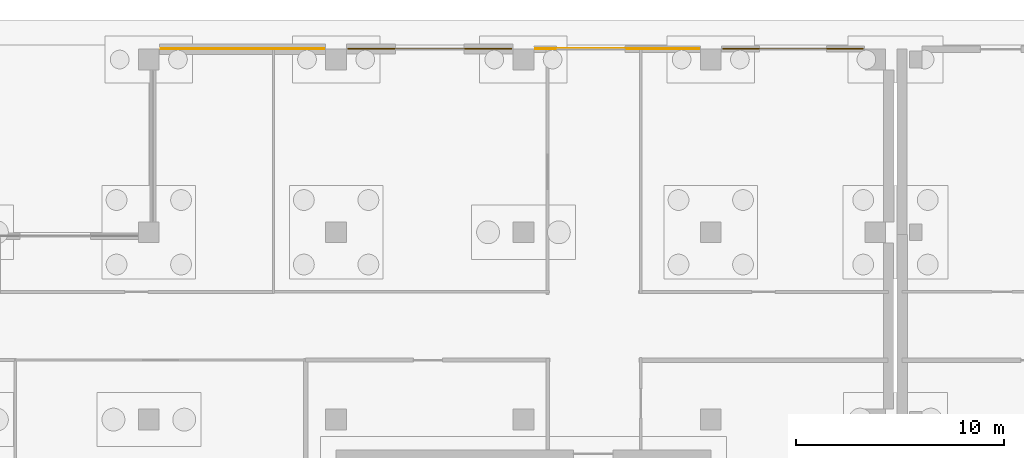
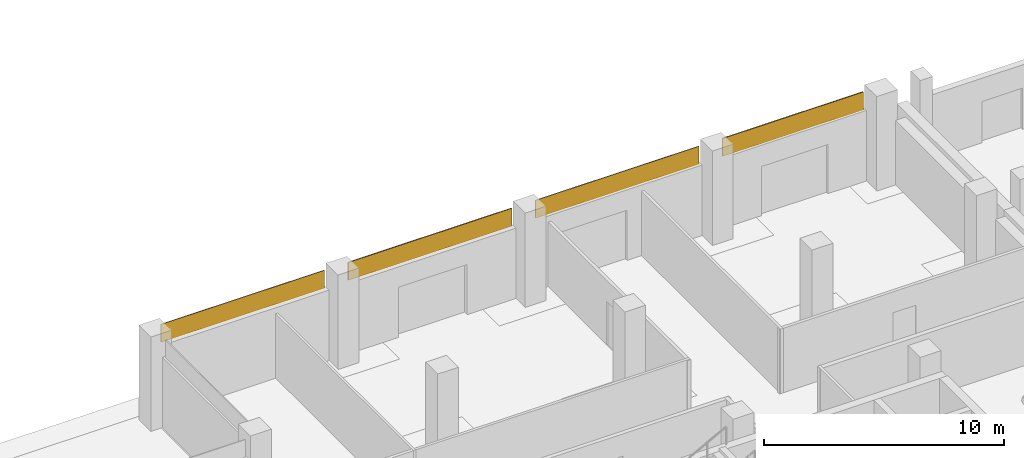
# One storey, part 52 of 53: 4 coverings.
"""IFC4 building model written with IfcOpenShell, lengths in metres."""

from ifc_helpers import new_model, si_unit, direction, frame, origin, origin_2d, place, context, subcontext, project, spatial, rectangle, extrude, material, layer, layer_set, type_object, element, save


model = new_model("IFC4")

# Units and contexts
model_context = context("Model", 3, precision=1e-05, world=origin(), true_north=direction((0.0, 1.0)))
body_context = subcontext(model_context, "Body", "Model", "MODEL_VIEW")
ifc_project = project(units=[si_unit("LENGTHUNIT", "METRE"), si_unit("AREAUNIT", "SQUARE_METRE"), si_unit("VOLUMEUNIT", "CUBIC_METRE"), si_unit("PLANEANGLEUNIT", "RADIAN"), si_unit("MASSUNIT", "GRAM", prefix="KILO"), si_unit("THERMODYNAMICTEMPERATUREUNIT", "KELVIN"), si_unit("POWERUNIT", "WATT")], contexts=[model_context])

# Site, building, storey
site_placement = place(None, origin())
site = spatial("IfcSite", under=ifc_project, at=site_placement, CompositionType="ELEMENT")
building_placement = place(site_placement, origin())
building = spatial("IfcBuilding", under=site, at=building_placement, Name="Sindhuravela Promenade Stadium", CompositionType="ELEMENT")
storey_placement = place(building_placement, origin())
storey = spatial("IfcBuildingStorey", under=building, at=storey_placement, Name="L00", CompositionType="ELEMENT", Elevation=0.0)

# Coverings
ifc_material = material(Name="Polychrome trencadis ceramic mosaic", Category="masonry")
ifc_layer_1 = layer(ifc_material, 0.034912109375)
ifc_layer_set_1 = layer_set([ifc_layer_1], Name="Polychrome trencadis ceramic mosaic")
covering_type_1 = type_object("IfcCoveringType", Name="CV-TRENC-1", PredefinedType="CLADDING", material=ifc_layer_set_1)
for number, where, z_axis, x_axis, name in (
    (1, (130.5, 161.820068359375, 3.55517578125), (0.0, 0.0, 1.0), (1.0, 0.0, 0.0), "Trencadis ceramic mosaic spandrel frieze NORTH L00-250"),
    (2, (148.5, 161.820068359375, 3.55517578125), (0.0, 0.0, 1.0), (1.0, 0.0, 0.0), "Trencadis ceramic mosaic spandrel frieze NORTH L00-252"),
):
    element("IfcCovering", number, at=place(storey_placement, frame(where, z_axis=z_axis, x_axis=x_axis)), inside=storey, type_object=covering_type_1, Name=name, PredefinedType="CLADDING", context=body_context, shape_type="SweptSolid", body=[
        extrude(rectangle(XDim=7.8701171875, YDim=0.034912109375, at=origin_2d()), origin(), (0.0, 0.0, 1.0), 0.905029296875),
    ])
ifc_layer_2 = layer(ifc_material, 0.050048828125)
ifc_layer_set_2 = layer_set([ifc_layer_2], Name="Polychrome trencadis ceramic mosaic")
covering_type_2 = type_object("IfcCoveringType", Name="CV-TRENC-2", PredefinedType="CLADDING", material=ifc_layer_set_2)
covering_1_placement = place(storey_placement, frame((139.5, 161.820068359375, 3.55517578125), z_axis=(0.0, 0.0, 1.0), x_axis=(1.0, 0.0, 0.0)))
element("IfcCovering", 3, at=covering_1_placement, inside=storey, type_object=covering_type_2, Name="Trencadis ceramic mosaic spandrel frieze NORTH L00-251", PredefinedType="CLADDING", context=body_context, shape_type="SweptSolid", body=[
    extrude(rectangle(XDim=7.8701171875, YDim=0.050048828125, at=origin_2d()), origin(), (0.0, 0.0, 1.0), 0.905029296875),
])
covering_2_placement = place(storey_placement, frame((156.949951171875, 161.820068359375, 3.55517578125), z_axis=(0.0, 0.0, 1.0), x_axis=(1.0, 0.0, 0.0)))
element("IfcCovering", 4, at=covering_2_placement, inside=storey, type_object=covering_type_2, Name="Trencadis ceramic mosaic spandrel frieze NORTH L00-253", PredefinedType="CLADDING", context=body_context, shape_type="SweptSolid", body=[
    extrude(rectangle(XDim=6.77001953125, YDim=0.050048828125, at=origin_2d()), origin(), (0.0, 0.0, 1.0), 0.905029296875),
])

save(model, "model.ifc")
